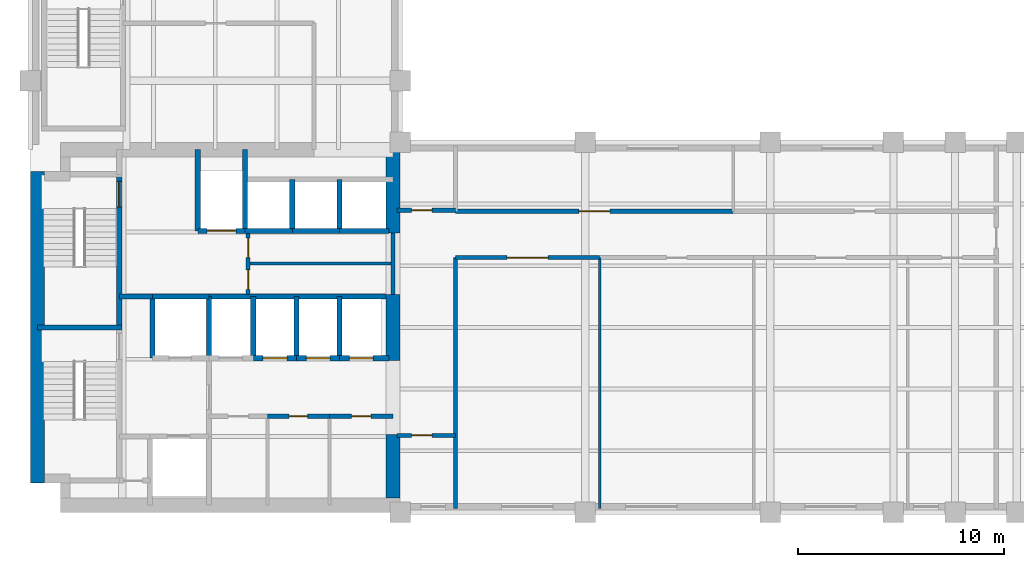
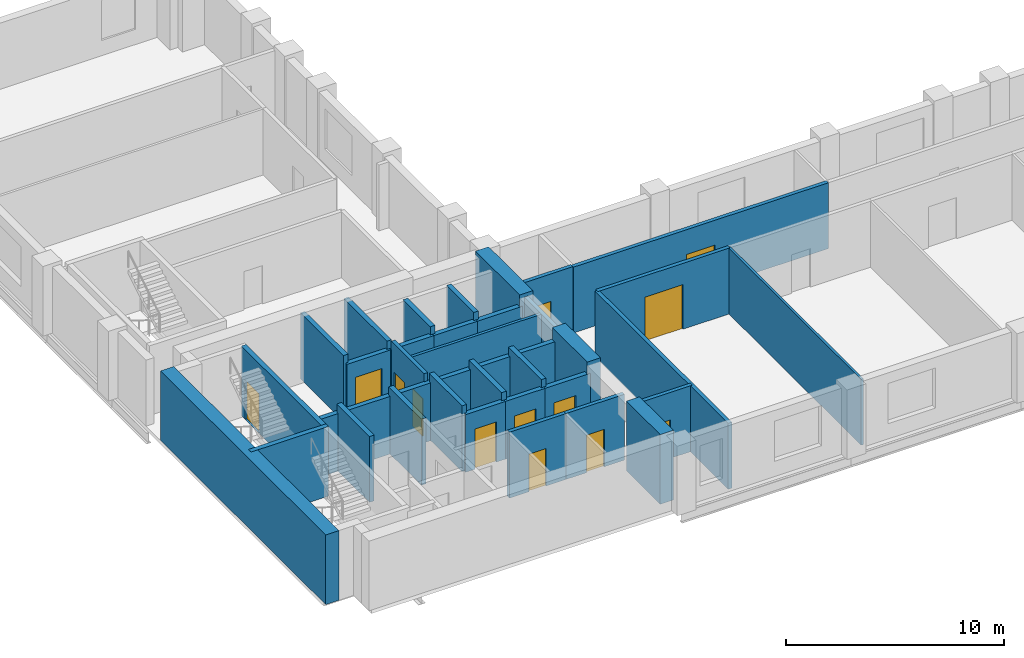
# One storey, part 3 of 7: 36 walls, 13 doors, 13 openings.
"""IFC4 building model written with IfcOpenShell, lengths in metres."""

from ifc_helpers import new_model, si_unit, direction, frame, frame_2d, origin, place, context, subcontext, project, spatial, rectangle, extrude, material, layer, layer_set, type_object, element, fill, save


model = new_model("IFC4")

# Units and contexts
model_context = context("Model", 3, precision=1e-05, world=origin(), true_north=direction((0.0, 1.0)))
body_context = subcontext(model_context, "Body", "Model", "MODEL_VIEW")
ifc_project = project(units=[si_unit("LENGTHUNIT", "METRE"), si_unit("AREAUNIT", "SQUARE_METRE"), si_unit("VOLUMEUNIT", "CUBIC_METRE"), si_unit("PLANEANGLEUNIT", "RADIAN"), si_unit("MASSUNIT", "GRAM", prefix="KILO")], contexts=[model_context])

# Site, building, storey
site_placement = place(None, origin())
site = spatial("IfcSite", under=ifc_project, at=site_placement, CompositionType="ELEMENT")
building_placement = place(site_placement, origin())
building = spatial("IfcBuilding", under=site, at=building_placement, Name="Mawjdan Bourse Tower", CompositionType="ELEMENT")
storey_placement = place(building_placement, frame((0.0, 0.0, 136.199951171875)))
storey = spatial("IfcBuildingStorey", under=building, at=storey_placement, Name="L32", CompositionType="ELEMENT", Elevation=136.199951171875)

# Wall, opening, door
ifc_material_1 = material(Name="Gypsum Fireboard Assembly")
ifc_layer_1 = layer(ifc_material_1, 0.199951171875)
ifc_layer_set_1 = layer_set([ifc_layer_1], Name="Gypsum Fireboard Assembly")
wall_type_1 = type_object("IfcWallType", Name="WL-CMP-200", PredefinedType="PARTITIONING", material=ifc_layer_set_1)
wall_1_placement = place(storey_placement, frame((17.550048828125, 7.679931640625, 0.0), z_axis=(0.0, 0.0, 1.0), x_axis=(1.0, 0.0, 0.0)))
wall_1 = element("IfcWall", 1, at=wall_1_placement, inside=storey, type_object=wall_type_1, Name="L32 IT & Fiber Patch Room North Wall", PredefinedType="PARTITIONING", context=body_context, shape_type="SweptSolid", body=[
    extrude(rectangle(XDim=3.0, YDim=0.199951171875, at=frame_2d((1.5, 0.0))), origin(), (0.0, 0.0, 1.0), 3.68994140625),
])
opening_1_placement = place(wall_1_placement, frame((1.050048828125, 0.0, 0.0)))
opening_1 = element("IfcOpeningElement", 2, at=opening_1_placement, cuts=wall_1, Name="Opening D-L32-11", PredefinedType="OPENING", context=body_context, shape_type="SweptSolid", body=[
    extrude(rectangle(XDim=0.89990234375, YDim=2.10009765625, at=frame_2d((0.449951171875, 1.050048828125))), frame((0.0, 0.10986328125, 0.0), z_axis=(0.0, -1.0, 0.0), x_axis=(1.0, 0.0, 0.0)), (0.0, 0.0, 1.0), 0.219970703125),
])
ifc_material_2 = material(Name="Fire-Rated Steel Access Leaf", Category="steel")
door_type_1 = type_object("IfcDoorType", Name="FD-RSR-0900", OperationType="NOTDEFINED", PredefinedType="TRAPDOOR", material=ifc_material_2)
door_1_placement = place(opening_1_placement, origin())
door_1 = element("IfcDoor", 3, at=door_1_placement, inside=storey, type_object=door_type_1, Name="L32 IT & Fiber Patch Room Door D-L32-11", OperationType="SINGLE_SWING_RIGHT", OverallHeight=2.10009765625, OverallWidth=0.89990234375, PredefinedType="TRAPDOOR", context=body_context, shape_type="SweptSolid", body=[
    extrude(rectangle(XDim=0.89990234375, YDim=2.10009765625, at=frame_2d((0.449951171875, 1.050048828125))), frame((0.0, 0.02490234375, 0.0), z_axis=(0.0, -1.0, 0.0), x_axis=(1.0, 0.0, 0.0)), (0.0, 0.0, 1.0), 0.050048828125),
])
fill(opening_1, door_1)

wall_2_placement = place(storey_placement, frame((20.550048828125, 7.679931640625, 0.0), z_axis=(0.0, 0.0, 1.0), x_axis=(1.0, 0.0, 0.0)))
wall_2 = element("IfcWall", 4, at=wall_2_placement, inside=storey, type_object=wall_type_1, Name="L32 Staff Tea Pantry North Wall", PredefinedType="PARTITIONING", context=body_context, shape_type="SweptSolid", body=[
    extrude(rectangle(XDim=3.099853515625, YDim=0.199951171875, at=frame_2d((1.5498046875, 0.0))), origin(), (0.0, 0.0, 1.0), 3.68994140625),
])
opening_2_placement = place(wall_2_placement, frame((1.074951171875, 0.0, 0.0)))
opening_2 = element("IfcOpeningElement", 5, at=opening_2_placement, cuts=wall_2, Name="Opening D-L32-12", PredefinedType="OPENING", context=body_context, shape_type="SweptSolid", body=[
    extrude(rectangle(XDim=0.949951171875, YDim=2.10009765625, at=frame_2d((0.47509765625, 1.050048828125))), frame((0.0, 0.10986328125, 0.0), z_axis=(0.0, -1.0, 0.0), x_axis=(1.0, 0.0, 0.0)), (0.0, 0.0, 1.0), 0.219970703125),
])
ifc_material_3 = material(Name="Moisture-Resistant Laminate Timber", Category="wood")
door_type_2 = type_object("IfcDoorType", Name="DR-WET-0950", OperationType="NOTDEFINED", PredefinedType="DOOR", material=ifc_material_3)
door_2_placement = place(opening_2_placement, origin())
door_2 = element("IfcDoor", 6, at=door_2_placement, inside=storey, type_object=door_type_2, Name="L32 Staff Tea Pantry Door D-L32-12", OperationType="SINGLE_SWING_LEFT", OverallHeight=2.10009765625, OverallWidth=0.949951171875, PredefinedType="DOOR", context=body_context, shape_type="SweptSolid", body=[
    extrude(rectangle(XDim=0.949951171875, YDim=2.10009765625, at=frame_2d((0.47509765625, 1.050048828125))), frame((0.0, 0.02490234375, 0.0), z_axis=(0.0, -1.0, 0.0), x_axis=(1.0, 0.0, 0.0)), (0.0, 0.0, 1.0), 0.050048828125),
])
fill(opening_2, door_2)

# Wall, openings, doors
wall_3_placement = place(storey_placement, frame((16.60009765625, 13.60009765625, 0.0), z_axis=(0.0, 0.0, 1.0), x_axis=(0.0, 1.0, 0.0)))
wall_3 = element("IfcWall", 7, at=wall_3_placement, inside=storey, type_object=wall_type_1, Name="L32 Core Restroom West Wall", PredefinedType="PARTITIONING", context=body_context, shape_type="SweptSolid", body=[
    extrude(rectangle(XDim=3.0, YDim=0.199951171875, at=frame_2d((1.5, 0.0))), origin(), (0.0, 0.0, 1.0), 3.68994140625),
])
opening_3_placement = place(wall_3_placement, frame((0.25, 0.0, 0.0)))
opening_3 = element("IfcOpeningElement", 8, at=opening_3_placement, cuts=wall_3, Name="Opening D-L32-17", PredefinedType="OPENING", context=body_context, shape_type="SweptSolid", body=[
    extrude(rectangle(XDim=0.949951171875, YDim=2.10009765625, at=frame_2d((0.47509765625, 1.050048828125))), frame((0.0, 0.10986328125, 0.0), z_axis=(0.0, -1.0, 0.0), x_axis=(1.0, 0.0, 0.0)), (0.0, 0.0, 1.0), 0.219970703125),
])
opening_4_placement = place(wall_3_placement, frame((1.800048828125, 0.0, 0.0)))
opening_4 = element("IfcOpeningElement", 9, at=opening_4_placement, cuts=wall_3, Name="Opening D-L32-18", PredefinedType="OPENING", context=body_context, shape_type="SweptSolid", body=[
    extrude(rectangle(XDim=0.949951171875, YDim=2.10009765625, at=frame_2d((0.47509765625, 1.050048828125))), frame((0.0, 0.10986328125, 0.0), z_axis=(0.0, -1.0, 0.0), x_axis=(1.0, 0.0, 0.0)), (0.0, 0.0, 1.0), 0.219970703125),
])
door_3_placement = place(opening_3_placement, origin())
door_3 = element("IfcDoor", 10, at=door_3_placement, inside=storey, type_object=door_type_2, Name="L32 Accessible WC Entry Door D-L32-17", OperationType="SINGLE_SWING_RIGHT", OverallHeight=2.10009765625, OverallWidth=0.949951171875, PredefinedType="DOOR", context=body_context, shape_type="SweptSolid", body=[
    extrude(rectangle(XDim=0.949951171875, YDim=2.10009765625, at=frame_2d((0.47509765625, 1.050048828125))), frame((0.0, 0.02490234375, 0.0), z_axis=(0.0, -1.0, 0.0), x_axis=(1.0, 0.0, 0.0)), (0.0, 0.0, 1.0), 0.050048828125),
])
fill(opening_3, door_3)
door_4_placement = place(opening_4_placement, origin())
door_4 = element("IfcDoor", 11, at=door_4_placement, inside=storey, type_object=door_type_2, Name="L32 Male Restroom Entry Door D-L32-18", OperationType="SINGLE_SWING_LEFT", OverallHeight=2.10009765625, OverallWidth=0.949951171875, PredefinedType="DOOR", context=body_context, shape_type="SweptSolid", body=[
    extrude(rectangle(XDim=0.949951171875, YDim=2.10009765625, at=frame_2d((0.47509765625, 1.050048828125))), frame((0.0, 0.02490234375, 0.0), z_axis=(0.0, -1.0, 0.0), x_axis=(1.0, 0.0, 0.0)), (0.0, 0.0, 1.0), 0.050048828125),
])
fill(opening_4, door_4)

# Wall
wall_4_placement = place(storey_placement, frame((23.64990234375, 13.60009765625, 0.0), z_axis=(0.0, 0.0, 1.0), x_axis=(0.0, 1.0, 0.0)))
element("IfcWall", 12, at=wall_4_placement, inside=storey, type_object=wall_type_1, Name="L32 Core Restroom East Enclosing Wall", PredefinedType="PARTITIONING", context=body_context, shape_type="SweptSolid", body=[
    extrude(rectangle(XDim=3.0, YDim=0.199951171875, at=frame_2d((1.5, 0.0))), origin(), (0.0, 0.0, 1.0), 3.68994140625),
])

# Wall, opening, door
wall_5_placement = place(storey_placement, frame((23.85009765625, 6.75, 0.0), z_axis=(0.0, 0.0, 1.0), x_axis=(1.0, 0.0, 0.0)))
wall_5 = element("IfcWall", 13, at=wall_5_placement, inside=storey, type_object=wall_type_1, Name="L32 West Pocket North Wall", PredefinedType="PARTITIONING", context=body_context, shape_type="SweptSolid", body=[
    extrude(rectangle(XDim=2.849853515625, YDim=0.199951171875, at=frame_2d((1.4248046875, 0.0))), origin(), (0.0, 0.0, 1.0), 3.68994140625),
])
opening_5_placement = place(wall_5_placement, frame((0.699951171875, 0.0, 0.0)))
opening_5 = element("IfcOpeningElement", 14, at=opening_5_placement, cuts=wall_5, Name="Opening D-L32-20", PredefinedType="OPENING", context=body_context, shape_type="SweptSolid", body=[
    extrude(rectangle(XDim=1.0, YDim=2.14990234375, at=frame_2d((0.5, 1.074951171875))), frame((0.0, 0.10986328125, 0.0), z_axis=(0.0, -1.0, 0.0), x_axis=(1.0, 0.0, 0.0)), (0.0, 0.0, 1.0), 0.219970703125),
])
ifc_material_4 = material(Name="Hardwood Acoustic Leaf", Category="wood")
door_type_3 = type_object("IfcDoorType", Name="DR-OFC-1000", OperationType="NOTDEFINED", PredefinedType="DOOR", material=ifc_material_4)
door_5_placement = place(opening_5_placement, origin())
door_5 = element("IfcDoor", 15, at=door_5_placement, inside=storey, type_object=door_type_3, Name="L32 West Pocket Office Door D-L32-20", OperationType="SINGLE_SWING_LEFT", OverallHeight=2.14990234375, OverallWidth=1.0, PredefinedType="DOOR", context=body_context, shape_type="SweptSolid", body=[
    extrude(rectangle(XDim=1.0, YDim=2.14990234375, at=frame_2d((0.5, 1.074951171875))), frame((0.0, 0.02490234375, 0.0), z_axis=(0.0, -1.0, 0.0), x_axis=(1.0, 0.0, 0.0)), (0.0, 0.0, 1.0), 0.050048828125),
])
fill(opening_5, door_5)

wall_6_placement = place(storey_placement, frame((23.85009765625, 17.699951171875, 0.0), z_axis=(0.0, 0.0, 1.0), x_axis=(1.0, 0.0, 0.0)))
wall_6 = element("IfcWall", 16, at=wall_6_placement, inside=storey, type_object=wall_type_1, Name="L32 West North Pocket Wall", PredefinedType="PARTITIONING", context=body_context, shape_type="SweptSolid", body=[
    extrude(rectangle(XDim=2.849853515625, YDim=0.199951171875, at=frame_2d((1.4248046875, 0.0))), origin(), (0.0, 0.0, 1.0), 3.68994140625),
])
opening_6_placement = place(wall_6_placement, frame((0.699951171875, 0.0, 0.0)))
opening_6 = element("IfcOpeningElement", 17, at=opening_6_placement, cuts=wall_6, Name="Opening D-L32-21", PredefinedType="OPENING", context=body_context, shape_type="SweptSolid", body=[
    extrude(rectangle(XDim=1.0, YDim=2.14990234375, at=frame_2d((0.5, 1.074951171875))), frame((0.0, 0.10986328125, 0.0), z_axis=(0.0, -1.0, 0.0), x_axis=(1.0, 0.0, 0.0)), (0.0, 0.0, 1.0), 0.219970703125),
])
door_6_placement = place(opening_6_placement, origin())
door_6 = element("IfcDoor", 18, at=door_6_placement, inside=storey, type_object=door_type_3, Name="L32 West North Pocket Door D-L32-21", OperationType="SINGLE_SWING_RIGHT", OverallHeight=2.14990234375, OverallWidth=1.0, PredefinedType="DOOR", context=body_context, shape_type="SweptSolid", body=[
    extrude(rectangle(XDim=1.0, YDim=2.14990234375, at=frame_2d((0.5, 1.074951171875))), frame((0.0, 0.02490234375, 0.0), z_axis=(0.0, -1.0, 0.0), x_axis=(1.0, 0.0, 0.0)), (0.0, 0.0, 1.0), 0.050048828125),
])
fill(opening_6, door_6)

# Wall
wall_7_placement = place(storey_placement, frame((26.699951171875, 3.179931640625, 0.0), z_axis=(0.0, 0.0, 1.0), x_axis=(0.0, 1.0, 0.0)))
element("IfcWall", 19, at=wall_7_placement, inside=storey, type_object=wall_type_1, Name="L32 Vestibule South East Wall", PredefinedType="PARTITIONING", context=body_context, shape_type="SweptSolid", body=[
    extrude(rectangle(XDim=12.219970703125, YDim=0.199951171875, at=frame_2d((6.10986328125, 0.0))), origin(), (0.0, 0.0, 1.0), 3.68994140625),
])

# Wall, opening, door
wall_8_placement = place(storey_placement, frame((26.699951171875, 15.39990234375, 0.0), z_axis=(0.0, 0.0, 1.0), x_axis=(1.0, 0.0, 0.0)))
wall_8 = element("IfcWall", 20, at=wall_8_placement, inside=storey, type_object=wall_type_1, Name="L32 Custody Services Hall Corridor Wall", PredefinedType="PARTITIONING", context=body_context, shape_type="SweptSolid", body=[
    extrude(rectangle(XDim=7.0, YDim=0.199951171875, at=frame_2d((3.5, 0.0))), origin(), (0.0, 0.0, 1.0), 3.68994140625),
])
opening_7_placement = place(wall_8_placement, frame((2.5, 0.0, 0.0)))
opening_7 = element("IfcOpeningElement", 21, at=opening_7_placement, cuts=wall_8, Name="Opening D-L32-22", PredefinedType="OPENING", context=body_context, shape_type="SweptSolid", body=[
    extrude(rectangle(XDim=2.0, YDim=2.5, at=frame_2d((1.0, 1.25))), frame((0.0, 0.10986328125, 0.0), z_axis=(0.0, -1.0, 0.0), x_axis=(1.0, 0.0, 0.0)), (0.0, 0.0, 1.0), 0.219970703125),
])
ifc_material_5 = material(Name="Acoustic Veneered Timber", Category="wood")
door_type_4 = type_object("IfcDoorType", Name="DR-ASM-2000", OperationType="DOUBLE_DOOR_SINGLE_SWING", PredefinedType="DOOR", material=ifc_material_5)
door_7_placement = place(opening_7_placement, origin())
door_7 = element("IfcDoor", 22, at=door_7_placement, inside=storey, type_object=door_type_4, Name="L32 Custody Services Hall Door D-L32-22", OperationType="DOUBLE_DOOR_SINGLE_SWING", OverallHeight=2.5, OverallWidth=2.0, PredefinedType="DOOR", context=body_context, shape_type="SweptSolid", body=[
    extrude(rectangle(XDim=2.0, YDim=2.5, at=frame_2d((1.0, 1.25))), frame((0.0, 0.02490234375, 0.0), z_axis=(0.0, -1.0, 0.0), x_axis=(1.0, 0.0, 0.0)), (0.0, 0.0, 1.0), 0.050048828125),
])
fill(opening_7, door_7)

wall_9_placement = place(storey_placement, frame((26.699951171875, 17.64990234375, 0.0), z_axis=(0.0, 0.0, 1.0), x_axis=(1.0, 0.0, 0.0)))
wall_9 = element("IfcWall", 23, at=wall_9_placement, inside=storey, type_object=wall_type_1, Name="L32 Conference Room Corridor Wall", PredefinedType="PARTITIONING", context=body_context, shape_type="SweptSolid", body=[
    extrude(rectangle(XDim=13.5, YDim=0.199951171875, at=frame_2d((6.75, 0.0))), origin(), (0.0, 0.0, 1.0), 3.68994140625),
])
opening_8_placement = place(wall_9_placement, frame((6.0, 0.0, 0.0)))
opening_8 = element("IfcOpeningElement", 24, at=opening_8_placement, cuts=wall_9, Name="Opening D-L32-26", PredefinedType="OPENING", context=body_context, shape_type="SweptSolid", body=[
    extrude(rectangle(XDim=1.5, YDim=2.300048828125, at=frame_2d((0.75, 1.14990234375))), frame((0.0, 0.10986328125, 0.0), z_axis=(0.0, -1.0, 0.0), x_axis=(1.0, 0.0, 0.0)), (0.0, 0.0, 1.0), 0.219970703125),
])
ifc_material_6 = material(Name="Acoustic Glazed Timber", Category="wood")
door_type_5 = type_object("IfcDoorType", Name="DR-CNF-1500", OperationType="DOUBLE_DOOR_SINGLE_SWING", PredefinedType="DOOR", material=ifc_material_6)
door_8_placement = place(opening_8_placement, origin())
door_8 = element("IfcDoor", 25, at=door_8_placement, inside=storey, type_object=door_type_5, Name="L32 Conference Room Door D-L32-26", OperationType="DOUBLE_DOOR_SINGLE_SWING", OverallHeight=2.300048828125, OverallWidth=1.5, PredefinedType="DOOR", context=body_context, shape_type="SweptSolid", body=[
    extrude(rectangle(XDim=1.5, YDim=2.300048828125, at=frame_2d((0.75, 1.14990234375))), frame((0.0, 0.02490234375, 0.0), z_axis=(0.0, -1.0, 0.0), x_axis=(1.0, 0.0, 0.0)), (0.0, 0.0, 1.0), 0.050048828125),
])
fill(opening_8, door_8)

# Walls
ifc_material_7 = material(Name="Concrete C70/85", Category="concrete")
ifc_layer_2 = layer(ifc_material_7, 0.699951171875)
ifc_layer_set_2 = layer_set([ifc_layer_2], Name="Concrete C70/85")
wall_type_2 = type_object("IfcWallType", Name="WL-CORE-700", PredefinedType="SHEAR", material=ifc_layer_set_2)
wall_10_placement = place(storey_placement, frame((6.35009765625, 4.425048828125, 0.0), z_axis=(0.0, 0.0, 1.0), x_axis=(0.0, 1.0, 0.0)))
element("IfcWall", 26, at=wall_10_placement, inside=storey, type_object=wall_type_2, Name="L32 Rear Core Shear Wall W", PredefinedType="SHEAR", context=body_context, shape_type="SweptSolid", body=[
    extrude(rectangle(XDim=15.14990234375, YDim=0.699951171875, at=frame_2d((7.574951171875, 0.0))), origin(), (0.0, 0.0, 1.0), 3.900146484375),
])
wall_11_placement = place(storey_placement, frame((23.64990234375, 3.699951171875, 0.0), z_axis=(0.0, 0.0, 1.0), x_axis=(0.0, 1.0, 0.0)))
element("IfcWall", 27, at=wall_11_placement, inside=storey, type_object=wall_type_2, Name="L32 Rear Core Shear Wall E1", PredefinedType="SHEAR", context=body_context, shape_type="SweptSolid", body=[
    extrude(rectangle(XDim=3.10009765625, YDim=0.699951171875, at=frame_2d((1.550048828125, 0.0))), origin(), (0.0, 0.0, 1.0), 3.900146484375),
])
wall_12_placement = place(storey_placement, frame((23.64990234375, 10.39990234375, 0.0), z_axis=(0.0, 0.0, 1.0), x_axis=(0.0, 1.0, 0.0)))
element("IfcWall", 28, at=wall_12_placement, inside=storey, type_object=wall_type_2, Name="L32 Rear Core Shear Wall E2", PredefinedType="SHEAR", context=body_context, shape_type="SweptSolid", body=[
    extrude(rectangle(XDim=3.2001953125, YDim=0.699951171875, at=frame_2d((1.60009765625, 0.0))), origin(), (0.0, 0.0, 1.0), 3.900146484375),
])
wall_13_placement = place(storey_placement, frame((23.64990234375, 16.60009765625, 0.0), z_axis=(0.0, 0.0, 1.0), x_axis=(0.0, 1.0, 0.0)))
element("IfcWall", 29, at=wall_13_placement, inside=storey, type_object=wall_type_2, Name="L32 Rear Core Shear Wall E3", PredefinedType="SHEAR", context=body_context, shape_type="SweptSolid", body=[
    extrude(rectangle(XDim=4.0498046875, YDim=0.699951171875, at=frame_2d((2.02490234375, 0.0))), origin(), (0.0, 0.0, 1.0), 3.900146484375),
])
ifc_material_8 = material(Name="Gypsum Partition")
ifc_layer_3 = layer(ifc_material_8, 0.125)
ifc_layer_set_3 = layer_set([ifc_layer_3], Name="Gypsum Partition")
wall_type_3 = type_object("IfcWallType", Name="WL-PRT-125", PredefinedType="PARTITIONING", material=ifc_layer_set_3)
wall_14_placement = place(storey_placement, frame((33.699951171875, 3.179931640625, 0.0), z_axis=(0.0, 0.0, 1.0), x_axis=(0.0, 1.0, 0.0)))
element("IfcWall", 30, at=wall_14_placement, inside=storey, type_object=wall_type_3, Name="L32 Executive Office Partition", PredefinedType="PARTITIONING", context=body_context, shape_type="SweptSolid", body=[
    extrude(rectangle(XDim=12.219970703125, YDim=0.125, at=frame_2d((6.10986328125, 0.0))), origin(), (0.0, 0.0, 1.0), 3.68994140625),
])
ifc_material_9 = material(Name="Gypsum Acoustic Partition")
ifc_layer_4 = layer(ifc_material_9, 0.14990234375)
ifc_layer_set_4 = layer_set([ifc_layer_4], Name="Gypsum Acoustic Partition")
wall_type_4 = type_object("IfcWallType", Name="WL-PRT-150", PredefinedType="PARTITIONING", material=ifc_layer_set_4)
wall_15_placement = place(storey_placement, frame((16.60009765625, 15.10009765625, 0.0), z_axis=(0.0, 0.0, 1.0), x_axis=(1.0, 0.0, 0.0)))
element("IfcWall", 31, at=wall_15_placement, inside=storey, type_object=wall_type_4, Name="L32 Core Restroom Horizontal Split", PredefinedType="PARTITIONING", context=body_context, shape_type="SweptSolid", body=[
    extrude(rectangle(XDim=7.0498046875, YDim=0.14990234375, at=frame_2d((3.52490234375, 0.0))), origin(), (0.0, 0.0, 1.0), 3.68994140625),
])
ifc_material_10 = material(Name="Concrete C50/60", Category="concrete")
ifc_layer_5 = layer(ifc_material_10, 0.25)
ifc_layer_set_5 = layer_set([ifc_layer_5], Name="Concrete C50/60")
wall_type_5 = type_object("IfcWallType", Name="WL-SHFT-250", PredefinedType="PARTITIONING", material=ifc_layer_set_5)
wall_16_placement = place(storey_placement, frame((11.949951171875, 10.5, 0.0), z_axis=(0.0, 0.0, 1.0), x_axis=(0.0, 1.0, 0.0)))
element("IfcWall", 32, at=wall_16_placement, inside=storey, type_object=wall_type_5, Name="L32 FFL-02 West Shaft Wall", PredefinedType="PARTITIONING", context=body_context, shape_type="SweptSolid", body=[
    extrude(rectangle(XDim=3.0, YDim=0.25, at=frame_2d((1.5, 0.0))), origin(), (0.0, 0.0, 1.0), 3.68994140625),
])
wall_17_placement = place(storey_placement, frame((11.949951171875, 13.5, 0.0), z_axis=(0.0, 0.0, 1.0), x_axis=(1.0, 0.0, 0.0)))
element("IfcWall", 33, at=wall_17_placement, inside=storey, type_object=wall_type_5, Name="L32 FFL-02 North Shaft Wall", PredefinedType="PARTITIONING", context=body_context, shape_type="SweptSolid", body=[
    extrude(rectangle(XDim=2.75, YDim=0.25, at=frame_2d((1.375, 0.0))), origin(), (0.0, 0.0, 1.0), 3.233154296875),
])
wall_18_placement = place(storey_placement, frame((14.699951171875, 10.5, 0.0), z_axis=(0.0, 0.0, 1.0), x_axis=(0.0, 1.0, 0.0)))
element("IfcWall", 34, at=wall_18_placement, inside=storey, type_object=wall_type_5, Name="L32 FFL-02 East Shaft Wall", PredefinedType="PARTITIONING", context=body_context, shape_type="SweptSolid", body=[
    extrude(rectangle(XDim=3.0, YDim=0.25, at=frame_2d((1.5, 0.0))), origin(), (0.0, 0.0, 1.0), 3.68994140625),
])
wall_19_placement = place(storey_placement, frame((10.330078125, 13.5, 0.0), z_axis=(0.0, 0.0, 1.0), x_axis=(1.0, 0.0, 0.0)))
element("IfcWall", 35, at=wall_19_placement, inside=storey, type_object=wall_type_5, Name="L32 Firefighting Lobby North Compartment Wall", PredefinedType="PARTITIONING", context=body_context, shape_type="SweptSolid", body=[
    extrude(rectangle(XDim=1.619873046875, YDim=0.25, at=frame_2d((0.81005859375, 0.0))), origin(), (0.0, 0.0, 1.0), 3.233154296875),
])

# Wall, opening, door
wall_20_placement = place(storey_placement, frame((14.14990234375, 16.699951171875, 0.0), z_axis=(0.0, 0.0, 1.0), x_axis=(1.0, 0.0, 0.0)))
wall_20 = element("IfcWall", 36, at=wall_20_placement, inside=storey, type_object=wall_type_5, Name="L32 SVL-01 Front Shaft Wall", PredefinedType="PARTITIONING", context=body_context, shape_type="SweptSolid", body=[
    extrude(rectangle(XDim=2.300048828125, YDim=0.25, at=frame_2d((1.14990234375, 0.0))), origin(), (0.0, 0.0, 1.0), 3.233154296875),
])
opening_9_placement = place(wall_20_placement, frame((0.449951171875, 0.0, 0.0)))
opening_9 = element("IfcOpeningElement", 37, at=opening_9_placement, cuts=wall_20, Name="Opening LD-L32-09", PredefinedType="OPENING", context=body_context, shape_type="SweptSolid", body=[
    extrude(rectangle(XDim=1.39990234375, YDim=2.35009765625, at=frame_2d((0.699951171875, 1.175048828125))), frame((0.0, 0.135009765625, 0.0), z_axis=(0.0, -1.0, 0.0), x_axis=(1.0, 0.0, 0.0)), (0.0, 0.0, 1.0), 0.27001953125),
])
ifc_material_11 = material(Name="Heavy-Duty Stainless Steel", Category="steel")
door_type_6 = type_object("IfcDoorType", Name="LD-SRV-1400", OperationType="DOUBLE_DOOR_SLIDING", PredefinedType="DOOR", material=ifc_material_11)
door_9_placement = place(opening_9_placement, origin())
door_9 = element("IfcDoor", 38, at=door_9_placement, inside=storey, type_object=door_type_6, Name="L32 Service Lift SVL-01 Landing Door LD-L32-09", OperationType="DOUBLE_DOOR_SLIDING", OverallHeight=2.35009765625, OverallWidth=1.39990234375, PredefinedType="DOOR", context=body_context, shape_type="SweptSolid", body=[
    extrude(rectangle(XDim=1.39990234375, YDim=2.35009765625, at=frame_2d((0.699951171875, 1.175048828125))), frame((0.0, 0.02490234375, 0.0), z_axis=(0.0, -1.0, 0.0), x_axis=(1.0, 0.0, 0.0)), (0.0, 0.0, 1.0), 0.050048828125),
])
fill(opening_9, door_9)

# Walls
for number, where, z_axis, x_axis, name in (
    (39, (14.14990234375, 16.699951171875, 0.0), (0.0, 0.0, 1.0), (0.0, 1.0, 0.0), "L32 SVL-01 West Shaft Wall"),
    (40, (16.449951171875, 16.699951171875, 0.0), (0.0, 0.0, 1.0), (0.0, 1.0, 0.0), "L32 SVL-01 East Shaft Wall"),
):
    element("IfcWall", number, at=place(storey_placement, frame(where, z_axis=z_axis, x_axis=x_axis)), inside=storey, type_object=wall_type_5, Name=name, PredefinedType="PARTITIONING", context=body_context, shape_type="SweptSolid", body=[
        extrude(rectangle(XDim=3.949951171875, YDim=0.25, at=frame_2d((1.97509765625, 0.0))), origin(), (0.0, 0.0, 1.0), 3.68994140625),
    ])
wall_21_placement = place(storey_placement, frame((16.449951171875, 16.699951171875, 0.0), z_axis=(0.0, 0.0, 1.0), x_axis=(1.0, 0.0, 0.0)))
element("IfcWall", 41, at=wall_21_placement, inside=storey, type_object=wall_type_5, Name="L32 PH-01 Front Wall", PredefinedType="PARTITIONING", context=body_context, shape_type="SweptSolid", body=[
    extrude(rectangle(XDim=2.300048828125, YDim=0.25, at=frame_2d((1.14990234375, 0.0))), origin(), (0.0, 0.0, 1.0), 3.233154296875),
])
wall_22_placement = place(storey_placement, frame((18.75, 16.699951171875, 0.0), z_axis=(0.0, 0.0, 1.0), x_axis=(0.0, 1.0, 0.0)))
element("IfcWall", 42, at=wall_22_placement, inside=storey, type_object=wall_type_5, Name="L32 PH-01 Divider Wall", PredefinedType="PARTITIONING", context=body_context, shape_type="SweptSolid", body=[
    extrude(rectangle(XDim=2.5, YDim=0.25, at=frame_2d((1.25, 0.0))), origin(), (0.0, 0.0, 1.0), 3.68994140625),
])
wall_23_placement = place(storey_placement, frame((18.75, 16.699951171875, 0.0), z_axis=(0.0, 0.0, 1.0), x_axis=(1.0, 0.0, 0.0)))
element("IfcWall", 43, at=wall_23_placement, inside=storey, type_object=wall_type_5, Name="L32 PH-02 Front Wall", PredefinedType="PARTITIONING", context=body_context, shape_type="SweptSolid", body=[
    extrude(rectangle(XDim=2.300048828125, YDim=0.25, at=frame_2d((1.14990234375, 0.0))), origin(), (0.0, 0.0, 1.0), 3.233154296875),
])
wall_24_placement = place(storey_placement, frame((21.050048828125, 16.699951171875, 0.0), z_axis=(0.0, 0.0, 1.0), x_axis=(0.0, 1.0, 0.0)))
element("IfcWall", 44, at=wall_24_placement, inside=storey, type_object=wall_type_5, Name="L32 PH-02 Divider Wall", PredefinedType="PARTITIONING", context=body_context, shape_type="SweptSolid", body=[
    extrude(rectangle(XDim=2.5, YDim=0.25, at=frame_2d((1.25, 0.0))), origin(), (0.0, 0.0, 1.0), 3.68994140625),
])
wall_25_placement = place(storey_placement, frame((21.050048828125, 16.699951171875, 0.0), z_axis=(0.0, 0.0, 1.0), x_axis=(1.0, 0.0, 0.0)))
element("IfcWall", 45, at=wall_25_placement, inside=storey, type_object=wall_type_5, Name="L32 PH-03 Front Wall", PredefinedType="PARTITIONING", context=body_context, shape_type="SweptSolid", body=[
    extrude(rectangle(XDim=2.39990234375, YDim=0.25, at=frame_2d((1.199951171875, 0.0))), origin(), (0.0, 0.0, 1.0), 3.233154296875),
])
wall_26_placement = place(storey_placement, frame((16.85009765625, 10.5, 0.0), z_axis=(0.0, 0.0, 1.0), x_axis=(0.0, 1.0, 0.0)))
element("IfcWall", 46, at=wall_26_placement, inside=storey, type_object=wall_type_5, Name="L32 PM-01 Divider Wall", PredefinedType="PARTITIONING", context=body_context, shape_type="SweptSolid", body=[
    extrude(rectangle(XDim=3.0, YDim=0.25, at=frame_2d((1.5, 0.0))), origin(), (0.0, 0.0, 1.0), 3.68994140625),
])

# Wall, opening, door
wall_27_placement = place(storey_placement, frame((16.85009765625, 10.5, 0.0), z_axis=(0.0, 0.0, 1.0), x_axis=(1.0, 0.0, 0.0)))
wall_27 = element("IfcWall", 47, at=wall_27_placement, inside=storey, type_object=wall_type_5, Name="L32 PM-02 Front Wall", PredefinedType="PARTITIONING", context=body_context, shape_type="SweptSolid", body=[
    extrude(rectangle(XDim=2.099853515625, YDim=0.25, at=frame_2d((1.0498046875, 0.0))), origin(), (0.0, 0.0, 1.0), 3.233154296875),
])
opening_10_placement = place(wall_27_placement, frame((0.47998046875, 0.0, 0.0)))
opening_10 = element("IfcOpeningElement", 48, at=opening_10_placement, cuts=wall_27, Name="Opening LD-L32-14", PredefinedType="OPENING", context=body_context, shape_type="SweptSolid", body=[
    extrude(rectangle(XDim=1.14990234375, YDim=2.25, at=frame_2d((0.574951171875, 1.125))), frame((0.0, 0.135009765625, 0.0), z_axis=(0.0, -1.0, 0.0), x_axis=(1.0, 0.0, 0.0)), (0.0, 0.0, 1.0), 0.27001953125),
])
ifc_material_12 = material(Name="Brushed Stainless Steel", Category="steel")
door_type_7 = type_object("IfcDoorType", Name="LD-PAS-1150", OperationType="DOUBLE_DOOR_SLIDING", PredefinedType="DOOR", material=ifc_material_12)
door_10_placement = place(opening_10_placement, origin())
door_10 = element("IfcDoor", 49, at=door_10_placement, inside=storey, type_object=door_type_7, Name="L32 Lift PM-02 Landing Door LD-L32-14", OperationType="DOUBLE_DOOR_SLIDING", OverallHeight=2.25, OverallWidth=1.14990234375, PredefinedType="DOOR", context=body_context, shape_type="SweptSolid", body=[
    extrude(rectangle(XDim=1.14990234375, YDim=2.25, at=frame_2d((0.574951171875, 1.125))), frame((0.0, 0.02490234375, 0.0), z_axis=(0.0, -1.0, 0.0), x_axis=(1.0, 0.0, 0.0)), (0.0, 0.0, 1.0), 0.050048828125),
])
fill(opening_10, door_10)

# Wall
wall_28_placement = place(storey_placement, frame((18.949951171875, 10.5, 0.0), z_axis=(0.0, 0.0, 1.0), x_axis=(0.0, 1.0, 0.0)))
element("IfcWall", 50, at=wall_28_placement, inside=storey, type_object=wall_type_5, Name="L32 PM-02 Divider Wall", PredefinedType="PARTITIONING", context=body_context, shape_type="SweptSolid", body=[
    extrude(rectangle(XDim=3.0, YDim=0.25, at=frame_2d((1.5, 0.0))), origin(), (0.0, 0.0, 1.0), 3.68994140625),
])

# Wall, opening, door
wall_29_placement = place(storey_placement, frame((18.949951171875, 10.5, 0.0), z_axis=(0.0, 0.0, 1.0), x_axis=(1.0, 0.0, 0.0)))
wall_29 = element("IfcWall", 51, at=wall_29_placement, inside=storey, type_object=wall_type_5, Name="L32 PM-03 Front Wall", PredefinedType="PARTITIONING", context=body_context, shape_type="SweptSolid", body=[
    extrude(rectangle(XDim=2.10009765625, YDim=0.25, at=frame_2d((1.050048828125, 0.0))), origin(), (0.0, 0.0, 1.0), 3.233154296875),
])
opening_11_placement = place(wall_29_placement, frame((0.47998046875, 0.0, 0.0)))
opening_11 = element("IfcOpeningElement", 52, at=opening_11_placement, cuts=wall_29, Name="Opening LD-L32-15", PredefinedType="OPENING", context=body_context, shape_type="SweptSolid", body=[
    extrude(rectangle(XDim=1.14990234375, YDim=2.25, at=frame_2d((0.574951171875, 1.125))), frame((0.0, 0.135009765625, 0.0), z_axis=(0.0, -1.0, 0.0), x_axis=(1.0, 0.0, 0.0)), (0.0, 0.0, 1.0), 0.27001953125),
])
door_11_placement = place(opening_11_placement, origin())
door_11 = element("IfcDoor", 53, at=door_11_placement, inside=storey, type_object=door_type_7, Name="L32 Lift PM-03 Landing Door LD-L32-15", OperationType="DOUBLE_DOOR_SLIDING", OverallHeight=2.25, OverallWidth=1.14990234375, PredefinedType="DOOR", context=body_context, shape_type="SweptSolid", body=[
    extrude(rectangle(XDim=1.14990234375, YDim=2.25, at=frame_2d((0.574951171875, 1.125))), frame((0.0, 0.02490234375, 0.0), z_axis=(0.0, -1.0, 0.0), x_axis=(1.0, 0.0, 0.0)), (0.0, 0.0, 1.0), 0.050048828125),
])
fill(opening_11, door_11)

# Wall
wall_30_placement = place(storey_placement, frame((21.050048828125, 10.5, 0.0), z_axis=(0.0, 0.0, 1.0), x_axis=(0.0, 1.0, 0.0)))
element("IfcWall", 54, at=wall_30_placement, inside=storey, type_object=wall_type_5, Name="L32 PM-03 Divider Wall", PredefinedType="PARTITIONING", context=body_context, shape_type="SweptSolid", body=[
    extrude(rectangle(XDim=3.0, YDim=0.25, at=frame_2d((1.5, 0.0))), origin(), (0.0, 0.0, 1.0), 3.68994140625),
])

# Wall, opening, door
wall_31_placement = place(storey_placement, frame((21.050048828125, 10.5, 0.0), z_axis=(0.0, 0.0, 1.0), x_axis=(1.0, 0.0, 0.0)))
wall_31 = element("IfcWall", 55, at=wall_31_placement, inside=storey, type_object=wall_type_5, Name="L32 PM-04 Front Wall", PredefinedType="PARTITIONING", context=body_context, shape_type="SweptSolid", body=[
    extrude(rectangle(XDim=2.39990234375, YDim=0.25, at=frame_2d((1.199951171875, 0.0))), origin(), (0.0, 0.0, 1.0), 3.233154296875),
])
opening_12_placement = place(wall_31_placement, frame((0.47998046875, 0.0, 0.0)))
opening_12 = element("IfcOpeningElement", 56, at=opening_12_placement, cuts=wall_31, Name="Opening LD-L32-16", PredefinedType="OPENING", context=body_context, shape_type="SweptSolid", body=[
    extrude(rectangle(XDim=1.14990234375, YDim=2.25, at=frame_2d((0.574951171875, 1.125))), frame((0.0, 0.135009765625, 0.0), z_axis=(0.0, -1.0, 0.0), x_axis=(1.0, 0.0, 0.0)), (0.0, 0.0, 1.0), 0.27001953125),
])
door_12_placement = place(opening_12_placement, origin())
door_12 = element("IfcDoor", 57, at=door_12_placement, inside=storey, type_object=door_type_7, Name="L32 Lift PM-04 Landing Door LD-L32-16", OperationType="DOUBLE_DOOR_SLIDING", OverallHeight=2.25, OverallWidth=1.14990234375, PredefinedType="DOOR", context=body_context, shape_type="SweptSolid", body=[
    extrude(rectangle(XDim=1.14990234375, YDim=2.25, at=frame_2d((0.574951171875, 1.125))), frame((0.0, 0.02490234375, 0.0), z_axis=(0.0, -1.0, 0.0), x_axis=(1.0, 0.0, 0.0)), (0.0, 0.0, 1.0), 0.050048828125),
])
fill(opening_12, door_12)

# Walls
wall_32_placement = place(storey_placement, frame((14.699951171875, 13.5, 0.0), z_axis=(0.0, 0.0, 1.0), x_axis=(1.0, 0.0, 0.0)))
element("IfcWall", 58, at=wall_32_placement, inside=storey, type_object=wall_type_5, Name="L32 PM Bank North Shaft Back Wall", PredefinedType="PARTITIONING", context=body_context, shape_type="SweptSolid", body=[
    extrude(rectangle(XDim=8.949951171875, YDim=0.25, at=frame_2d((4.47509765625, 0.0))), origin(), (0.0, 0.0, 1.0), 3.233154296875),
])
ifc_layer_6 = layer(ifc_material_10, 0.25)
ifc_layer_set_6 = layer_set([ifc_layer_6], Name="Concrete C50/60")
wall_type_6 = type_object("IfcWallType", Name="WL-STRW-250", PredefinedType="SHEAR", material=ifc_layer_set_6)
wall_33_placement = place(storey_placement, frame((6.35009765625, 12.0, 0.0), z_axis=(0.0, 0.0, 1.0), x_axis=(1.0, 0.0, 0.0)))
element("IfcWall", 59, at=wall_33_placement, inside=storey, type_object=wall_type_6, Name="L32 Stairwell Dividing Shaft Wall", PredefinedType="SHEAR", context=body_context, shape_type="SweptSolid", body=[
    extrude(rectangle(XDim=4.10498046875, YDim=0.25, at=frame_2d((2.052490234375, 0.0))), origin(), (0.0, 0.0, 1.0), 3.900146484375),
])

# Wall, opening, door
wall_34_placement = place(storey_placement, frame((10.330078125, 12.0, 0.0), z_axis=(0.0, 0.0, 1.0), x_axis=(0.0, 1.0, 0.0)))
wall_34 = element("IfcWall", 60, at=wall_34_placement, inside=storey, type_object=wall_type_6, Name="L32 Stairwell ST2 East Enclosure Wall", PredefinedType="SHEAR", context=body_context, shape_type="SweptSolid", body=[
    extrude(rectangle(XDim=7.449951171875, YDim=0.25, at=frame_2d((3.72509765625, 0.0))), origin(), (0.0, 0.0, 1.0), 3.900146484375),
])
opening_13_placement = place(wall_34_placement, frame((5.85009765625, 0.0, 0.0)))
opening_13 = element("IfcOpeningElement", 61, at=opening_13_placement, cuts=wall_34, Name="Opening SD-L32-02", PredefinedType="OPENING", context=body_context, shape_type="SweptSolid", body=[
    extrude(rectangle(XDim=1.25, YDim=2.199951171875, at=frame_2d((0.625, 1.10009765625))), frame((0.0, 0.135009765625, 0.0), z_axis=(0.0, -1.0, 0.0), x_axis=(1.0, 0.0, 0.0)), (0.0, 0.0, 1.0), 0.27001953125),
])
ifc_material_13 = material(Name="Fire-Rated Steel Leaf", Category="steel")
door_type_8 = type_object("IfcDoorType", Name="FD-ST-1250", OperationType="NOTDEFINED", PredefinedType="DOOR", material=ifc_material_13)
door_13_placement = place(opening_13_placement, origin())
door_13 = element("IfcDoor", 62, at=door_13_placement, inside=storey, type_object=door_type_8, Name="L32 Exit Stair ST2 Fire Door SD-L32-02", OperationType="SINGLE_SWING_RIGHT", OverallHeight=2.199951171875, OverallWidth=1.25, PredefinedType="DOOR", context=body_context, shape_type="SweptSolid", body=[
    extrude(rectangle(XDim=1.25, YDim=2.199951171875, at=frame_2d((0.625, 1.10009765625))), frame((0.0, 0.02490234375, 0.0), z_axis=(0.0, -1.0, 0.0), x_axis=(1.0, 0.0, 0.0)), (0.0, 0.0, 1.0), 0.050048828125),
])
fill(opening_13, door_13)

save(model, "model.ifc")
